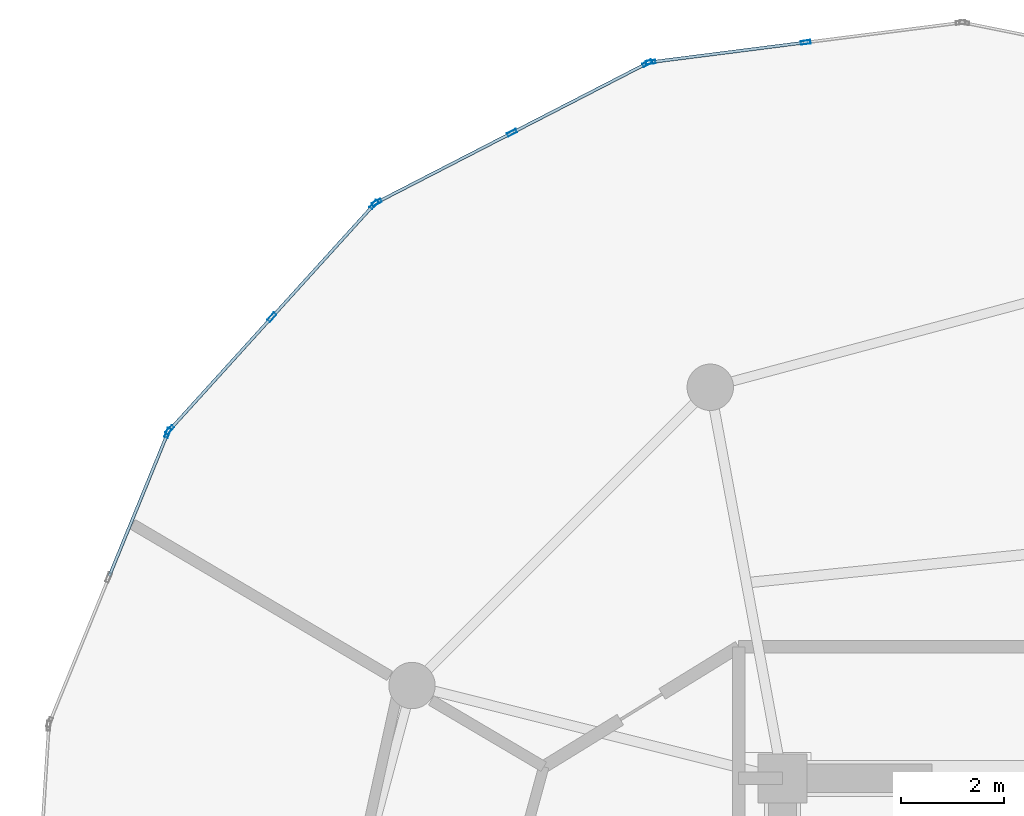
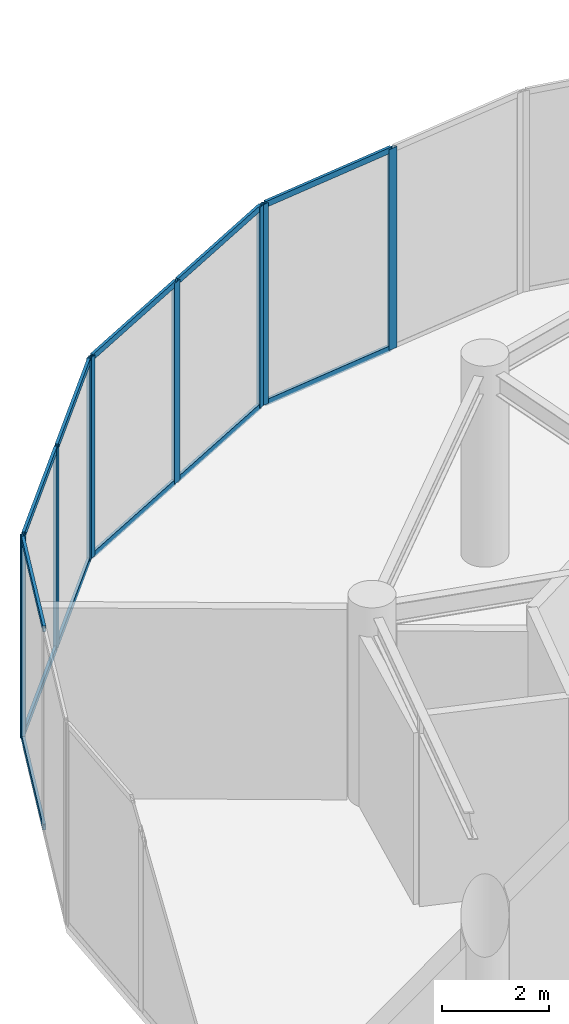
# One storey, part 14 of 23: 21 members, 4 elements without a shape of their own.
"""IFC4 building model written with IfcOpenShell, lengths in metres."""

from ifc_helpers import new_model, si_unit, direction, frame, origin, origin_2d, place, context, subcontext, project, spatial, hollow_rectangle, extrude, source, transform, mapped, material, layer, layer_set, material_profile, profile_set, type_object, element, aggregate, save


model = new_model("IFC4")

# Units and contexts
model_context = context("Model", 3, precision=1e-05, world=origin(), true_north=direction((0.0, 1.0)))
body_context = subcontext(model_context, "Body", "Model", "MODEL_VIEW")
ifc_project = project(units=[si_unit("LENGTHUNIT", "METRE"), si_unit("AREAUNIT", "SQUARE_METRE"), si_unit("VOLUMEUNIT", "CUBIC_METRE"), si_unit("PLANEANGLEUNIT", "RADIAN"), si_unit("MASSUNIT", "GRAM", prefix="KILO")], contexts=[model_context])

# Site, building, storey
site_placement = place(None, origin())
site = spatial("IfcSite", under=ifc_project, at=site_placement, CompositionType="ELEMENT")
building_placement = place(site_placement, origin())
building = spatial("IfcBuilding", under=site, at=building_placement, Name="Solvirekh Grand Hotel", CompositionType="ELEMENT")
storey_placement = place(building_placement, frame((0.0, 0.0, 168.60009765625)))
storey = spatial("IfcBuildingStorey", under=building, at=storey_placement, Name="L43", CompositionType="ELEMENT", Elevation=168.60009765625)

# Curtain wall, members
ifc_material = material(Name="Anodized Bronze Aluminium 6063-T6", Category="aluminium")
ifc_layer = layer(ifc_material, 0.18994140625)
ifc_layer_set = layer_set([ifc_layer], Name="Anodized Bronze Aluminium 6063-T6")
curtain_wall_type = type_object("IfcCurtainWallType", Name="CW_Sys5_SkyLobbyPanoramaCW", PredefinedType="NOTDEFINED", material=ifc_layer_set)
curtain_wall_1_placement = place(storey_placement, origin())
curtain_wall_1 = element("IfcCurtainWall", 1, at=curtain_wall_1_placement, inside=storey, type_object=curtain_wall_type, Name="L43 unitised bronze-glass curtain wall CW-L43-C09", PredefinedType="NOTDEFINED")
ifc_material_profile_1 = material_profile(ifc_material, hollow_rectangle(XDim=0.070068359375, YDim=0.18994140625, WallThickness=0.0048828125, at=origin_2d()), Name="ALU RHS 190X70X5")
ifc_profile_set_1 = profile_set([ifc_material_profile_1], Name="Anodized Bronze Aluminium 6063-T6")
member_type_1 = type_object("IfcMemberType", Name="CWMullion_Sys5", PredefinedType="MULLION", material=ifc_profile_set_1)
shared_shape_1 = source(origin(), body_context, "Body", "SweptSolid", [
    extrude(hollow_rectangle(XDim=0.070068359375, YDim=0.18994140625, WallThickness=0.0048828125, at=origin_2d()), origin(), (0.0, 0.0, 1.0), 4.599853515625),
])
member_1_placement = place(storey_placement, frame((-6.050048828125, 20.3701171875, 0.0), z_axis=(0.0, 0.0, 1.0), x_axis=(0.12656359623, -0.991958495155, 0.0)))
member_1 = element("IfcMember", 2, at=member_1_placement, type_object=member_type_1, Name="U05 mullion 2", PredefinedType="MULLION", context=body_context, shape_type="MappedRepresentation", body=[
    mapped(shared_shape_1, transform((0.0, 0.0, 0.0), x_axis=(1.0, 0.0, 0.0), y_axis=(0.0, 1.0, 0.0), z_axis=(0.0, 0.0, 1.0), scale=1.0)),
])
member_2_placement = place(storey_placement, frame((-9.056396484375, 19.986328125, 0.0), z_axis=(0.0, 0.0, 1.0), x_axis=(0.12656359623, -0.991958495155, 0.0)))
member_2 = element("IfcMember", 3, at=member_2_placement, type_object=member_type_1, Name="U05 mullion 3", PredefinedType="MULLION", context=body_context, shape_type="MappedRepresentation", body=[
    mapped(shared_shape_1, transform((0.0, 0.0, 0.0), x_axis=(1.0, 0.0, 0.0), y_axis=(0.0, 1.0, 0.0), z_axis=(0.0, 0.0, 1.0), scale=1.0)),
])

curtain_wall_2_placement = place(storey_placement, origin())
curtain_wall_2 = element("IfcCurtainWall", 4, at=curtain_wall_2_placement, inside=storey, type_object=curtain_wall_type, Name="L43 unitised bronze-glass curtain wall CW-L43-C10", PredefinedType="NOTDEFINED")
member_3_placement = place(storey_placement, frame((-9.1220703125, 19.966064453125, 0.0), z_axis=(0.0, 0.0, 1.0), x_axis=(0.457639535446, -0.889137815862, 0.0)))
member_3 = element("IfcMember", 5, at=member_3_placement, type_object=member_type_1, Name="U05 mullion 1", PredefinedType="MULLION", context=body_context, shape_type="MappedRepresentation", body=[
    mapped(shared_shape_1, transform((0.0, 0.0, 0.0), x_axis=(1.0, 0.0, 0.0), y_axis=(0.0, 1.0, 0.0), z_axis=(0.0, 0.0, 1.0), scale=1.0)),
])
member_4_placement = place(storey_placement, frame((-11.743896484375, 18.616455078125, 0.0), z_axis=(0.0, 0.0, 1.0), x_axis=(0.457639535446, -0.889137815862, 0.0)))
member_4 = element("IfcMember", 6, at=member_4_placement, type_object=member_type_1, Name="U05 mullion 2", PredefinedType="MULLION", context=body_context, shape_type="MappedRepresentation", body=[
    mapped(shared_shape_1, transform((0.0, 0.0, 0.0), x_axis=(1.0, 0.0, 0.0), y_axis=(0.0, 1.0, 0.0), z_axis=(0.0, 0.0, 1.0), scale=1.0)),
])
member_5_placement = place(storey_placement, frame((-14.365966796875, 17.26708984375, 0.0), z_axis=(0.0, 0.0, 1.0), x_axis=(0.457639535446, -0.889137815862, 0.0)))
member_5 = element("IfcMember", 7, at=member_5_placement, type_object=member_type_1, Name="U05 mullion 3", PredefinedType="MULLION", context=body_context, shape_type="MappedRepresentation", body=[
    mapped(shared_shape_1, transform((0.0, 0.0, 0.0), x_axis=(1.0, 0.0, 0.0), y_axis=(0.0, 1.0, 0.0), z_axis=(0.0, 0.0, 1.0), scale=1.0)),
])

curtain_wall_3_placement = place(storey_placement, origin())
curtain_wall_3 = element("IfcCurtainWall", 8, at=curtain_wall_3_placement, inside=storey, type_object=curtain_wall_type, Name="L43 unitised bronze-glass curtain wall CW-L43-C11", PredefinedType="NOTDEFINED")
member_6_placement = place(storey_placement, frame((-14.42041015625, 17.22509765625, 0.0), z_axis=(0.0, 0.0, 1.0), x_axis=(0.740788855491, -0.671737948594, 0.0)))
member_6 = element("IfcMember", 9, at=member_6_placement, type_object=member_type_1, Name="U05 mullion 1", PredefinedType="MULLION", context=body_context, shape_type="MappedRepresentation", body=[
    mapped(shared_shape_1, transform((0.0, 0.0, 0.0), x_axis=(1.0, 0.0, 0.0), y_axis=(0.0, 1.0, 0.0), z_axis=(0.0, 0.0, 1.0), scale=1.0)),
])
member_7_placement = place(storey_placement, frame((-16.40087890625, 15.041015625, 0.0), z_axis=(0.0, 0.0, 1.0), x_axis=(0.740788855491, -0.671737948594, 0.0)))
member_7 = element("IfcMember", 10, at=member_7_placement, type_object=member_type_1, Name="U05 mullion 2", PredefinedType="MULLION", context=body_context, shape_type="MappedRepresentation", body=[
    mapped(shared_shape_1, transform((0.0, 0.0, 0.0), x_axis=(1.0, 0.0, 0.0), y_axis=(0.0, 1.0, 0.0), z_axis=(0.0, 0.0, 1.0), scale=1.0)),
])
member_8_placement = place(storey_placement, frame((-18.381591796875, 12.85693359375, 0.0), z_axis=(0.0, 0.0, 1.0), x_axis=(0.740788855491, -0.671737948594, 0.0)))
member_8 = element("IfcMember", 11, at=member_8_placement, type_object=member_type_1, Name="U05 mullion 3", PredefinedType="MULLION", context=body_context, shape_type="MappedRepresentation", body=[
    mapped(shared_shape_1, transform((0.0, 0.0, 0.0), x_axis=(1.0, 0.0, 0.0), y_axis=(0.0, 1.0, 0.0), z_axis=(0.0, 0.0, 1.0), scale=1.0)),
])

# Curtain wall, member
curtain_wall_4_placement = place(storey_placement, origin())
curtain_wall_4 = element("IfcCurtainWall", 12, at=curtain_wall_4_placement, inside=storey, type_object=curtain_wall_type, Name="L43 unitised bronze-glass curtain wall CW-L43-C12", PredefinedType="NOTDEFINED")
member_9_placement = place(storey_placement, frame((-18.418212890625, 12.798583984375, 0.0), z_axis=(0.0, 0.0, 1.0), x_axis=(0.925718325904, -0.378213671203, 0.0)))
member_9 = element("IfcMember", 13, at=member_9_placement, type_object=member_type_1, Name="U05 mullion 1", PredefinedType="MULLION", context=body_context, shape_type="MappedRepresentation", body=[
    mapped(shared_shape_1, transform((0.0, 0.0, 0.0), x_axis=(1.0, 0.0, 0.0), y_axis=(0.0, 1.0, 0.0), z_axis=(0.0, 0.0, 1.0), scale=1.0)),
])

# Member
ifc_material_profile_2 = material_profile(ifc_material, hollow_rectangle(XDim=0.06005859375, YDim=0.135009765625, WallThickness=0.00390625, at=origin_2d()), Name="ALU RHS 135X60X4")
ifc_profile_set_2 = profile_set([ifc_material_profile_2], Name="Anodized Bronze Aluminium 6063-T6")
member_type_2 = type_object("IfcMemberType", Name="CWTransom_Sys5", PredefinedType="USERDEFINED", material=ifc_profile_set_2)
shared_shape_2 = source(origin(), body_context, "Body", "SweptSolid", [
    extrude(hollow_rectangle(XDim=0.06005859375, YDim=0.135009765625, WallThickness=0.00390625, at=origin_2d()), origin(), (0.0, 0.0, 1.0), 2.87841796875),
])
member_10_placement = place(storey_placement, frame((-14.444091796875, 17.19921875, 0.02978515625), z_axis=(-0.671696960913, -0.740826020534, 0.0), x_axis=(0.740826020534, -0.671696960913, 0.0)))
member_10 = element("IfcMember", 14, at=member_10_placement, type_object=member_type_2, Name="U05 transom 1.1", ObjectType="TRANSOM", PredefinedType="USERDEFINED", context=body_context, shape_type="MappedRepresentation", body=[
    mapped(shared_shape_2, transform((0.0, 0.0, 0.0), x_axis=(1.0, 0.0, 0.0), y_axis=(0.0, 1.0, 0.0), z_axis=(0.0, 0.0, 1.0), scale=1.0)),
])

member_11_placement = place(storey_placement, frame((-14.444091796875, 17.19921875, 4.56982421875), z_axis=(-0.671696960913, -0.740826020534, 0.0), x_axis=(0.740826020534, -0.671696960913, 0.0)))
member_11 = element("IfcMember", 15, at=member_11_placement, type_object=member_type_2, Name="U05 transom 1.2", ObjectType="TRANSOM", PredefinedType="USERDEFINED", context=body_context, shape_type="MappedRepresentation", body=[
    mapped(shared_shape_2, transform((0.0, 0.0, 0.0), x_axis=(1.0, 0.0, 0.0), y_axis=(0.0, 1.0, 0.0), z_axis=(0.0, 0.0, 1.0), scale=1.0)),
])

member_12_placement = place(storey_placement, frame((-16.424560546875, 15.01513671875, 0.02978515625), z_axis=(-0.671696960913, -0.740826020534, 0.0), x_axis=(0.740826020534, -0.671696960913, 0.0)))
member_12 = element("IfcMember", 16, at=member_12_placement, type_object=member_type_2, Name="U05 transom 2.1", ObjectType="TRANSOM", PredefinedType="USERDEFINED", context=body_context, shape_type="MappedRepresentation", body=[
    mapped(shared_shape_2, transform((0.0, 0.0, 0.0), x_axis=(1.0, 0.0, 0.0), y_axis=(0.0, 1.0, 0.0), z_axis=(0.0, 0.0, 1.0), scale=1.0)),
])

member_13_placement = place(storey_placement, frame((-16.424560546875, 15.01513671875, 4.56982421875), z_axis=(-0.671696960913, -0.740826020534, 0.0), x_axis=(0.740826020534, -0.671696960913, 0.0)))
member_13 = element("IfcMember", 17, at=member_13_placement, type_object=member_type_2, Name="U05 transom 2.2", ObjectType="TRANSOM", PredefinedType="USERDEFINED", context=body_context, shape_type="MappedRepresentation", body=[
    mapped(shared_shape_2, transform((0.0, 0.0, 0.0), x_axis=(1.0, 0.0, 0.0), y_axis=(0.0, 1.0, 0.0), z_axis=(0.0, 0.0, 1.0), scale=1.0)),
])

aggregate(curtain_wall_3, [member_6, member_7, member_8, member_10, member_11, member_12, member_13])

shared_shape_3 = source(origin(), body_context, "Body", "SweptSolid", [
    extrude(hollow_rectangle(XDim=0.06005859375, YDim=0.135009765625, WallThickness=0.00390625, at=origin_2d()), origin(), (0.0, 0.0, 1.0), 2.960693359375),
])
member_14_placement = place(storey_placement, frame((-18.431396484375, 12.76611328125, 0.02978515625), z_axis=(-0.378247509534, -0.925704500114, 0.0), x_axis=(0.925704500114, -0.378247509534, 0.0)))
member_14 = element("IfcMember", 18, at=member_14_placement, type_object=member_type_2, Name="U05 transom 1.1", ObjectType="TRANSOM", PredefinedType="USERDEFINED", context=body_context, shape_type="MappedRepresentation", body=[
    mapped(shared_shape_3, transform((0.0, 0.0, 0.0), x_axis=(1.0, 0.0, 0.0), y_axis=(0.0, 1.0, 0.0), z_axis=(0.0, 0.0, 1.0), scale=1.0)),
])

member_15_placement = place(storey_placement, frame((-18.431396484375, 12.76611328125, 4.56982421875), z_axis=(-0.378247509534, -0.925704500114, 0.0), x_axis=(0.925704500114, -0.378247509534, 0.0)))
member_15 = element("IfcMember", 19, at=member_15_placement, type_object=member_type_2, Name="U05 transom 1.2", ObjectType="TRANSOM", PredefinedType="USERDEFINED", context=body_context, shape_type="MappedRepresentation", body=[
    mapped(shared_shape_3, transform((0.0, 0.0, 0.0), x_axis=(1.0, 0.0, 0.0), y_axis=(0.0, 1.0, 0.0), z_axis=(0.0, 0.0, 1.0), scale=1.0)),
])

aggregate(curtain_wall_4, [member_9, member_14, member_15])

shared_shape_4 = source(origin(), body_context, "Body", "SweptSolid", [
    extrude(hollow_rectangle(XDim=0.06005859375, YDim=0.135009765625, WallThickness=0.00390625, at=origin_2d()), origin(), (0.0, 0.0, 1.0), 2.96044921875),
])
member_16_placement = place(storey_placement, frame((-6.084716796875, 20.365478515625, 0.02978515625), z_axis=(-0.991966520971, -0.126500676962, 0.0), x_axis=(0.126500676962, -0.991966520971, 0.0)))
member_16 = element("IfcMember", 20, at=member_16_placement, type_object=member_type_2, Name="U05 transom 2.1", ObjectType="TRANSOM", PredefinedType="USERDEFINED", context=body_context, shape_type="MappedRepresentation", body=[
    mapped(shared_shape_4, transform((0.0, 0.0, 0.0), x_axis=(1.0, 0.0, 0.0), y_axis=(0.0, 1.0, 0.0), z_axis=(0.0, 0.0, 1.0), scale=1.0)),
])

member_17_placement = place(storey_placement, frame((-6.084716796875, 20.365478515625, 4.56982421875), z_axis=(-0.991966520971, -0.126500676962, 0.0), x_axis=(0.126500676962, -0.991966520971, 0.0)))
member_17 = element("IfcMember", 21, at=member_17_placement, type_object=member_type_2, Name="U05 transom 2.2", ObjectType="TRANSOM", PredefinedType="USERDEFINED", context=body_context, shape_type="MappedRepresentation", body=[
    mapped(shared_shape_4, transform((0.0, 0.0, 0.0), x_axis=(1.0, 0.0, 0.0), y_axis=(0.0, 1.0, 0.0), z_axis=(0.0, 0.0, 1.0), scale=1.0)),
])

aggregate(curtain_wall_1, [member_1, member_2, member_16, member_17])

shared_shape_5 = source(origin(), body_context, "Body", "SweptSolid", [
    extrude(hollow_rectangle(XDim=0.06005859375, YDim=0.135009765625, WallThickness=0.00390625, at=origin_2d()), origin(), (0.0, 0.0, 1.0), 2.878662109375),
])
member_18_placement = place(storey_placement, frame((-9.1533203125, 19.949951171875, 0.02978515625), z_axis=(-0.889141900231, -0.457631599928, 0.0), x_axis=(0.457631599928, -0.889141900231, 0.0)))
member_18 = element("IfcMember", 22, at=member_18_placement, type_object=member_type_2, Name="U05 transom 1.1", ObjectType="TRANSOM", PredefinedType="USERDEFINED", context=body_context, shape_type="MappedRepresentation", body=[
    mapped(shared_shape_5, transform((0.0, 0.0, 0.0), x_axis=(1.0, 0.0, 0.0), y_axis=(0.0, 1.0, 0.0), z_axis=(0.0, 0.0, 1.0), scale=1.0)),
])

member_19_placement = place(storey_placement, frame((-9.1533203125, 19.949951171875, 4.56982421875), z_axis=(-0.889141900231, -0.457631599928, 0.0), x_axis=(0.457631599928, -0.889141900231, 0.0)))
member_19 = element("IfcMember", 23, at=member_19_placement, type_object=member_type_2, Name="U05 transom 1.2", ObjectType="TRANSOM", PredefinedType="USERDEFINED", context=body_context, shape_type="MappedRepresentation", body=[
    mapped(shared_shape_5, transform((0.0, 0.0, 0.0), x_axis=(1.0, 0.0, 0.0), y_axis=(0.0, 1.0, 0.0), z_axis=(0.0, 0.0, 1.0), scale=1.0)),
])

shared_shape_6 = source(origin(), body_context, "Body", "SweptSolid", [
    extrude(hollow_rectangle(XDim=0.06005859375, YDim=0.135009765625, WallThickness=0.00390625, at=origin_2d()), origin(), (0.0, 0.0, 1.0), 2.87890625),
])
member_20_placement = place(storey_placement, frame((-11.775146484375, 18.6005859375, 0.02978515625), z_axis=(-0.889107390141, -0.457698644085, 0.0), x_axis=(0.457698644085, -0.889107390141, 0.0)))
member_20 = element("IfcMember", 24, at=member_20_placement, type_object=member_type_2, Name="U05 transom 2.1", ObjectType="TRANSOM", PredefinedType="USERDEFINED", context=body_context, shape_type="MappedRepresentation", body=[
    mapped(shared_shape_6, transform((0.0, 0.0, 0.0), x_axis=(1.0, 0.0, 0.0), y_axis=(0.0, 1.0, 0.0), z_axis=(0.0, 0.0, 1.0), scale=1.0)),
])

member_21_placement = place(storey_placement, frame((-11.775146484375, 18.6005859375, 4.56982421875), z_axis=(-0.889107390141, -0.457698644085, 0.0), x_axis=(0.457698644085, -0.889107390141, 0.0)))
member_21 = element("IfcMember", 25, at=member_21_placement, type_object=member_type_2, Name="U05 transom 2.2", ObjectType="TRANSOM", PredefinedType="USERDEFINED", context=body_context, shape_type="MappedRepresentation", body=[
    mapped(shared_shape_6, transform((0.0, 0.0, 0.0), x_axis=(1.0, 0.0, 0.0), y_axis=(0.0, 1.0, 0.0), z_axis=(0.0, 0.0, 1.0), scale=1.0)),
])

aggregate(curtain_wall_2, [member_3, member_4, member_5, member_18, member_19, member_20, member_21])

save(model, "model.ifc")
